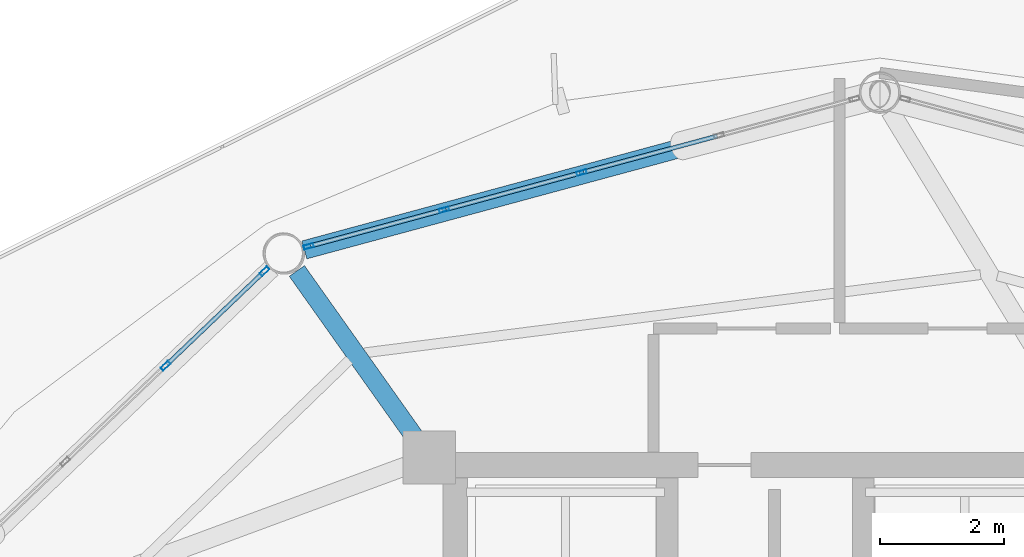
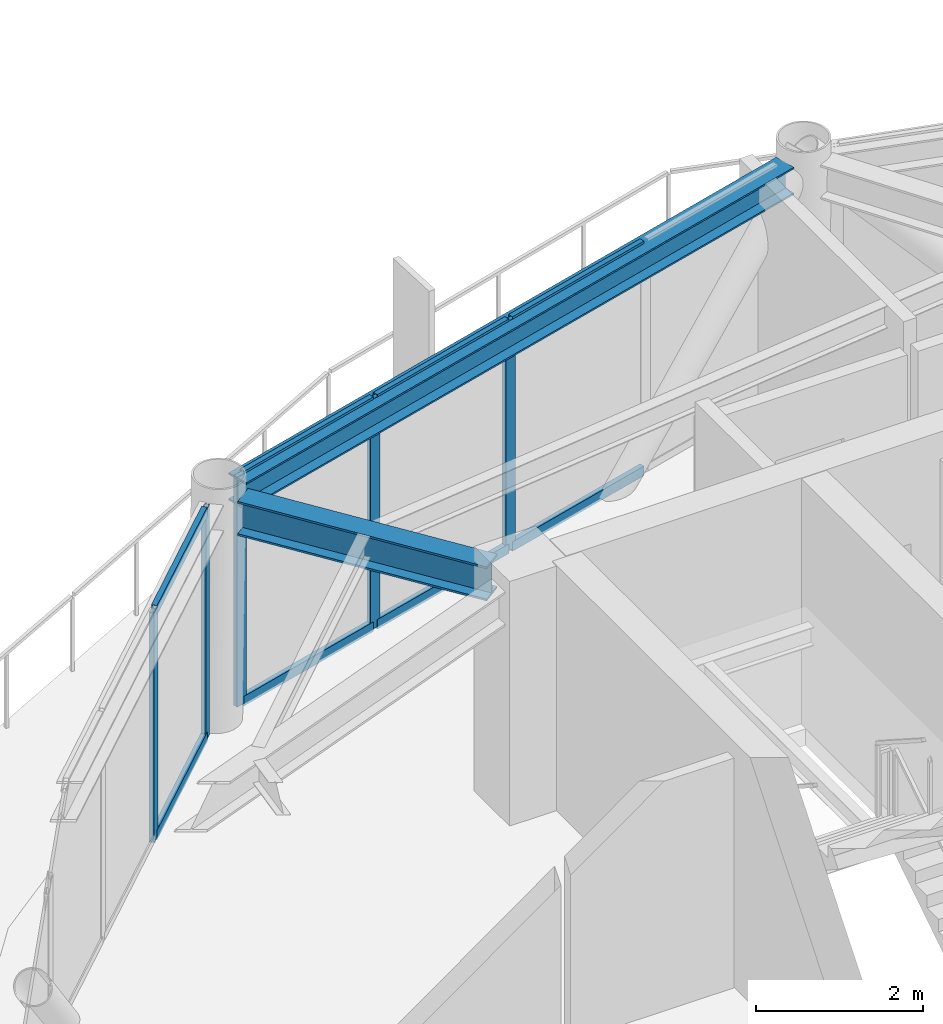
# One storey, part 19 of 28: 13 members, 2 beams, 2 elements without a shape of their own.
"""IFC4 building model written with IfcOpenShell, lengths in metres."""

from ifc_helpers import new_model, si_unit, direction, frame, origin, origin_2d, place, context, subcontext, project, spatial, hollow_rectangle, i_section, extrude, material, layer, layer_set, material_profile, profile_set, type_object, element, aggregate, save


model = new_model("IFC4")

# Units and contexts
model_context = context("Model", 3, precision=1e-05, world=origin(), true_north=direction((0.0, 1.0)))
body_context = subcontext(model_context, "Body", "Model", "MODEL_VIEW")
ifc_project = project(units=[si_unit("LENGTHUNIT", "METRE"), si_unit("AREAUNIT", "SQUARE_METRE"), si_unit("VOLUMEUNIT", "CUBIC_METRE"), si_unit("PLANEANGLEUNIT", "RADIAN"), si_unit("MASSUNIT", "GRAM", prefix="KILO")], contexts=[model_context])

# Site, building, storey
site_placement = place(None, origin())
site = spatial("IfcSite", under=ifc_project, at=site_placement, CompositionType="ELEMENT")
building_placement = place(site_placement, origin())
building = spatial("IfcBuilding", under=site, at=building_placement, Name="Varnakorn Sky Granary", CompositionType="ELEMENT")
storey_placement = place(building_placement, frame((0.0, 0.0, 200.39990234375)))
storey = spatial("IfcBuildingStorey", under=building, at=storey_placement, Name="L50", CompositionType="ELEMENT", Elevation=200.39990234375)

# Beams
ifc_material_1 = material(Name="Steel S355JR", Category="steel")
ifc_material_profile_1 = material_profile(ifc_material_1, i_section(OverallWidth=0.300048828125, OverallDepth=0.5, WebThickness=0.014404296875, FlangeThickness=0.028076171875, at=origin_2d()), Name="HE 500 B")
ifc_profile_set_1 = profile_set([ifc_material_profile_1], Name="Steel S355JR")
beam_type_1 = type_object("IfcBeamType", Name="BM-RAD-Z4", PredefinedType="BEAM", material=ifc_profile_set_1)
beam_1_placement = place(storey_placement, frame((-2.654296875, 12.950439453125, 3.110107421875), z_axis=(-0.578485435709, 0.815692712161, 0.0), x_axis=(-0.815692712161, -0.578485435709, 0.0)))
element("IfcBeam", 1, at=beam_1_placement, inside=storey, type_object=beam_type_1, Name="Radial Floor Girder RG05 L50", PredefinedType="BEAM", context=body_context, shape_type="SweptSolid", body=[
    extrude(i_section(OverallWidth=0.300048828125, OverallDepth=0.5, WebThickness=0.014404296875, FlangeThickness=0.028076171875, at=origin_2d()), origin(), (0.0, 0.0, 1.0), 3.2841796875),
])
ifc_material_profile_2 = material_profile(ifc_material_1, i_section(OverallWidth=0.300048828125, OverallDepth=0.39990234375, WebThickness=0.013427734375, FlangeThickness=0.02392578125, at=origin_2d()), Name="HE 400 B")
ifc_profile_set_2 = profile_set([ifc_material_profile_2], Name="Steel S355JR")
beam_type_2 = type_object("IfcBeamType", Name="BM-SPD-Z4", PredefinedType="SPANDREL", material=ifc_profile_set_2)
beam_2_placement = place(storey_placement, frame((4.5458984375, 18.396728515625, 3.16015625), z_axis=(-0.965318349203, -0.261075630215, 0.0), x_axis=(0.261075630215, -0.965318349203, 0.0)))
element("IfcBeam", 2, at=beam_2_placement, inside=storey, type_object=beam_type_2, Name="Perimeter Spandrel Ring Beam RB04 L50", PredefinedType="SPANDREL", context=body_context, shape_type="SweptSolid", body=[
    extrude(i_section(OverallWidth=0.300048828125, OverallDepth=0.39990234375, WebThickness=0.013427734375, FlangeThickness=0.02392578125, at=origin_2d()), origin(), (0.0, 0.0, 1.0), 9.30078125),
])

# Curtain wall, members
ifc_material_2 = material(Name="Anodised Bronze Aluminium Alloy 6063-T6", Category="aluminium")
ifc_layer = layer(ifc_material_2, 0.169921875, Name="Anodised Bronze Aluminium Alloy 6063-T6")
ifc_layer_set = layer_set([ifc_layer], Name="Anodised Bronze Aluminium Alloy 6063-T6")
curtain_wall_type = type_object("IfcCurtainWallType", Name="CW-LAB-1", PredefinedType="USERDEFINED", material=ifc_layer_set)
curtain_wall_1_placement = place(storey_placement, origin())
curtain_wall_1 = element("IfcCurtainWall", 3, at=curtain_wall_1_placement, inside=storey, type_object=curtain_wall_type, Name="Unitised Curtain Wall CW5 CW-L50-B04", ObjectType="CURTAIN WALL", PredefinedType="USERDEFINED")
ifc_material_profile_3 = material_profile(ifc_material_2, hollow_rectangle(XDim=0.06494140625, YDim=0.159912109375, WallThickness=0.00341796875, at=origin_2d()), Name="ALU MULL 65x160")
ifc_profile_set_3 = profile_set([ifc_material_profile_3], Name="Anodised Bronze Aluminium Alloy 6063-T6")
member_type_1 = type_object("IfcMemberType", Name="CW-LAB-1-MULL", PredefinedType="MULLION", material=ifc_profile_set_3)
member_1_placement = place(storey_placement, frame((-4.362548828125, 16.02587890625, 0.0), z_axis=(0.0, 0.0, 1.0), x_axis=(-0.260643020154, 0.965435246946, 0.0)))
member_1 = element("IfcMember", 4, at=member_1_placement, type_object=member_type_1, Name="CW5 mullion 1", PredefinedType="MULLION", context=body_context, shape_type="SweptSolid", body=[
    extrude(hollow_rectangle(XDim=0.06494140625, YDim=0.159912109375, WallThickness=0.00341796875, at=origin_2d()), origin(), (0.0, 0.0, 1.0), 3.360107421875),
])
member_2_placement = place(storey_placement, frame((-2.17724609375, 16.615966796875, 0.0), z_axis=(0.0, 0.0, 1.0), x_axis=(-0.260643020154, 0.965435246946, 0.0)))
member_2 = element("IfcMember", 5, at=member_2_placement, type_object=member_type_1, Name="CW5 mullion 2", PredefinedType="MULLION", context=body_context, shape_type="SweptSolid", body=[
    extrude(hollow_rectangle(XDim=0.06494140625, YDim=0.159912109375, WallThickness=0.00341796875, at=origin_2d()), origin(), (0.0, 0.0, 1.0), 3.360107421875),
])
member_3_placement = place(storey_placement, frame((0.039794921875, 17.21435546875, 0.0), z_axis=(0.0, 0.0, 1.0), x_axis=(-0.260643020154, 0.965435246946, 0.0)))
member_3 = element("IfcMember", 6, at=member_3_placement, type_object=member_type_1, Name="CW5 mullion 3", PredefinedType="MULLION", context=body_context, shape_type="SweptSolid", body=[
    extrude(hollow_rectangle(XDim=0.06494140625, YDim=0.159912109375, WallThickness=0.00341796875, at=origin_2d()), origin(), (0.0, 0.0, 1.0), 3.360107421875),
])

curtain_wall_2_placement = place(storey_placement, origin())
curtain_wall_2 = element("IfcCurtainWall", 7, at=curtain_wall_2_placement, inside=storey, type_object=curtain_wall_type, Name="Unitised Curtain Wall CW5 CW-L50-B05", ObjectType="CURTAIN WALL", PredefinedType="USERDEFINED")
member_4_placement = place(storey_placement, frame((-6.672119140625, 14.099365234375, 0.0), z_axis=(0.0, 0.0, 1.0), x_axis=(-0.690696852284, 0.723144424195, 0.0)))
member_4 = element("IfcMember", 8, at=member_4_placement, type_object=member_type_1, Name="CW5 mullion 4", PredefinedType="MULLION", context=body_context, shape_type="SweptSolid", body=[
    extrude(hollow_rectangle(XDim=0.06494140625, YDim=0.159912109375, WallThickness=0.00341796875, at=origin_2d()), origin(), (0.0, 0.0, 1.0), 3.360107421875),
])
member_5_placement = place(storey_placement, frame((-5.075927734375, 15.6240234375, 0.0), z_axis=(0.0, 0.0, 1.0), x_axis=(-0.690696852284, 0.723144424195, 0.0)))
member_5 = element("IfcMember", 9, at=member_5_placement, type_object=member_type_1, Name="CW5 mullion 5", PredefinedType="MULLION", context=body_context, shape_type="SweptSolid", body=[
    extrude(hollow_rectangle(XDim=0.06494140625, YDim=0.159912109375, WallThickness=0.00341796875, at=origin_2d()), origin(), (0.0, 0.0, 1.0), 3.360107421875),
])

# Member
ifc_material_profile_4 = material_profile(ifc_material_2, hollow_rectangle(XDim=0.070068359375, YDim=0.139892578125, WallThickness=0.00341796875, at=origin_2d()), Name="ALU TRAN 70x140")
ifc_profile_set_4 = profile_set([ifc_material_profile_4], Name="Anodised Bronze Aluminium Alloy 6063-T6")
member_type_2 = type_object("IfcMemberType", Name="CW-LAB-1-TRAN", PredefinedType="USERDEFINED", material=ifc_profile_set_4)
member_6_placement = place(storey_placement, frame((-4.331298828125, 16.034423828125, 0.03515625), z_axis=(0.965447242765, 0.260598582952, 0.0), x_axis=(-0.260598582952, 0.965447242765, 0.0)))
member_6 = element("IfcMember", 10, at=member_6_placement, type_object=member_type_2, Name="CW5 transom 1.1", ObjectType="TRANSOM", PredefinedType="USERDEFINED", context=body_context, shape_type="SweptSolid", body=[
    extrude(hollow_rectangle(XDim=0.070068359375, YDim=0.139892578125, WallThickness=0.00341796875, at=origin_2d()), origin(), (0.0, 0.0, 1.0), 2.19873046875),
])

member_7_placement = place(storey_placement, frame((-4.331298828125, 16.034423828125, 3.3251953125), z_axis=(0.965447242765, 0.260598582952, 0.0), x_axis=(-0.260598582952, 0.965447242765, 0.0)))
member_7 = element("IfcMember", 11, at=member_7_placement, type_object=member_type_2, Name="CW5 transom 1.2", ObjectType="TRANSOM", PredefinedType="USERDEFINED", context=body_context, shape_type="SweptSolid", body=[
    extrude(hollow_rectangle(XDim=0.070068359375, YDim=0.139892578125, WallThickness=0.00341796875, at=origin_2d()), origin(), (0.0, 0.0, 1.0), 2.19873046875),
])

member_8_placement = place(storey_placement, frame((-2.145751953125, 16.624267578125, 0.03515625), z_axis=(0.965434865019, 0.260644434827, 0.0), x_axis=(-0.260644434827, 0.965434865019, 0.0)))
member_8 = element("IfcMember", 12, at=member_8_placement, type_object=member_type_2, Name="CW5 transom 2.1", ObjectType="TRANSOM", PredefinedType="USERDEFINED", context=body_context, shape_type="SweptSolid", body=[
    extrude(hollow_rectangle(XDim=0.070068359375, YDim=0.139892578125, WallThickness=0.00341796875, at=origin_2d()), origin(), (0.0, 0.0, 1.0), 2.231201171875),
])

member_9_placement = place(storey_placement, frame((-2.145751953125, 16.624267578125, 3.3251953125), z_axis=(0.965434865019, 0.260644434827, 0.0), x_axis=(-0.260644434827, 0.965434865019, 0.0)))
member_9 = element("IfcMember", 13, at=member_9_placement, type_object=member_type_2, Name="CW5 transom 2.2", ObjectType="TRANSOM", PredefinedType="USERDEFINED", context=body_context, shape_type="SweptSolid", body=[
    extrude(hollow_rectangle(XDim=0.070068359375, YDim=0.139892578125, WallThickness=0.00341796875, at=origin_2d()), origin(), (0.0, 0.0, 1.0), 2.231201171875),
])

member_10_placement = place(storey_placement, frame((0.071044921875, 17.222900390625, 0.03515625), z_axis=(0.965442297517, 0.260616903069, 0.0), x_axis=(-0.260616903069, 0.965442297517, 0.0)))
member_10 = element("IfcMember", 14, at=member_10_placement, type_object=member_type_2, Name="CW5 transom 3.1", ObjectType="TRANSOM", PredefinedType="USERDEFINED", context=body_context, shape_type="SweptSolid", body=[
    extrude(hollow_rectangle(XDim=0.070068359375, YDim=0.139892578125, WallThickness=0.00341796875, at=origin_2d()), origin(), (0.0, 0.0, 1.0), 2.2314453125),
])

member_11_placement = place(storey_placement, frame((0.071044921875, 17.222900390625, 3.3251953125), z_axis=(0.965442297517, 0.260616903069, 0.0), x_axis=(-0.260616903069, 0.965442297517, 0.0)))
member_11 = element("IfcMember", 15, at=member_11_placement, type_object=member_type_2, Name="CW5 transom 3.2", ObjectType="TRANSOM", PredefinedType="USERDEFINED", context=body_context, shape_type="SweptSolid", body=[
    extrude(hollow_rectangle(XDim=0.070068359375, YDim=0.139892578125, WallThickness=0.00341796875, at=origin_2d()), origin(), (0.0, 0.0, 1.0), 2.2314453125),
])

aggregate(curtain_wall_1, [member_1, member_2, member_3, member_6, member_7, member_8, member_9, member_10, member_11])

member_12_placement = place(storey_placement, frame((-6.648681640625, 14.121826171875, 0.03515625), z_axis=(0.72310452813, 0.690738620173, 0.0), x_axis=(-0.690738620173, 0.72310452813, 0.0)))
member_12 = element("IfcMember", 16, at=member_12_placement, type_object=member_type_2, Name="CW5 transom 4.1", ObjectType="TRANSOM", PredefinedType="USERDEFINED", context=body_context, shape_type="SweptSolid", body=[
    extrude(hollow_rectangle(XDim=0.070068359375, YDim=0.139892578125, WallThickness=0.00341796875, at=origin_2d()), origin(), (0.0, 0.0, 1.0), 2.142333984375),
])

member_13_placement = place(storey_placement, frame((-6.648681640625, 14.121826171875, 3.3251953125), z_axis=(0.72310452813, 0.690738620173, 0.0), x_axis=(-0.690738620173, 0.72310452813, 0.0)))
member_13 = element("IfcMember", 17, at=member_13_placement, type_object=member_type_2, Name="CW5 transom 4.2", ObjectType="TRANSOM", PredefinedType="USERDEFINED", context=body_context, shape_type="SweptSolid", body=[
    extrude(hollow_rectangle(XDim=0.070068359375, YDim=0.139892578125, WallThickness=0.00341796875, at=origin_2d()), origin(), (0.0, 0.0, 1.0), 2.142333984375),
])

aggregate(curtain_wall_2, [member_4, member_5, member_12, member_13])

save(model, "model.ifc")
